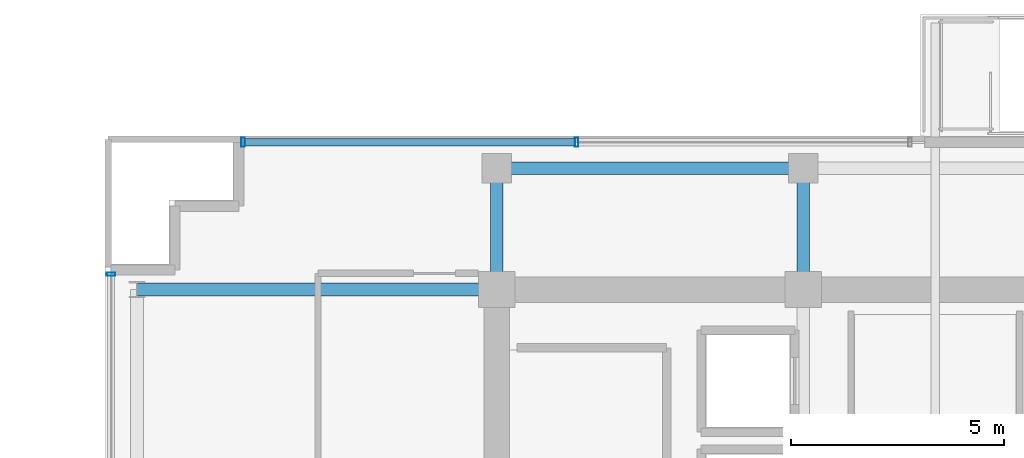
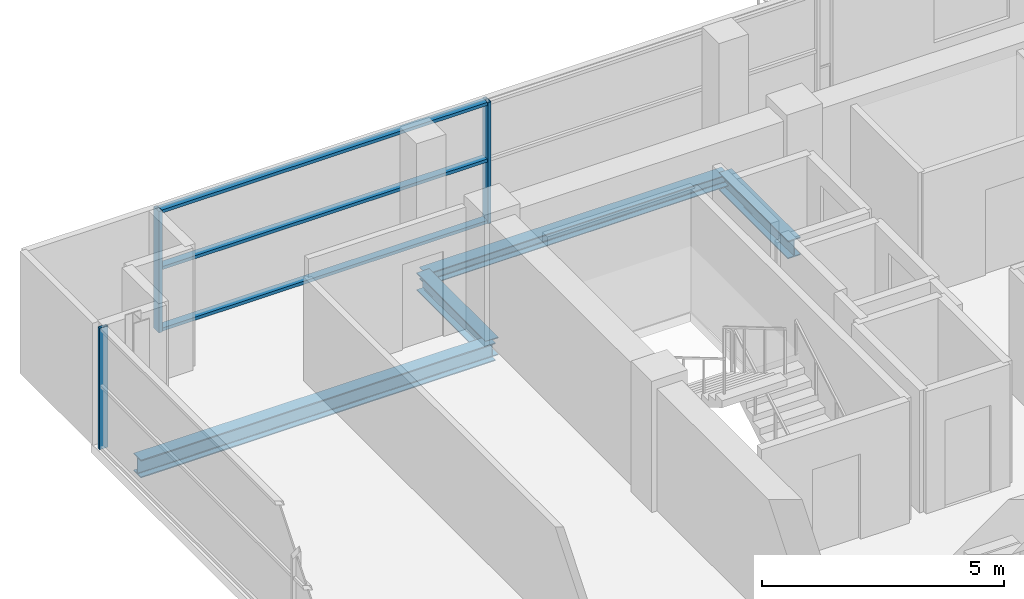
# One storey, part 11 of 24: 6 members, 4 beams, 2 elements without a shape of their own.
"""IFC4 building model written with IfcOpenShell, lengths in metres."""

from ifc_helpers import new_model, si_unit, direction, frame, origin, origin_2d, place, context, subcontext, project, spatial, hollow_rectangle, i_section, extrude, source, transform, mapped, material, layer, layer_set, material_profile, profile_set, type_object, element, aggregate, save


model = new_model("IFC4")

# Units and contexts
model_context = context("Model", 3, precision=1e-05, world=origin(), true_north=direction((0.0, 1.0)))
body_context = subcontext(model_context, "Body", "Model", "MODEL_VIEW")
ifc_project = project(units=[si_unit("LENGTHUNIT", "METRE"), si_unit("AREAUNIT", "SQUARE_METRE"), si_unit("VOLUMEUNIT", "CUBIC_METRE"), si_unit("PLANEANGLEUNIT", "RADIAN"), si_unit("MASSUNIT", "GRAM", prefix="KILO")], contexts=[model_context])

# Site, building, storey
site_placement = place(None, origin())
site = spatial("IfcSite", under=ifc_project, at=site_placement, CompositionType="ELEMENT")
building_placement = place(site_placement, origin())
building = spatial("IfcBuilding", under=site, at=building_placement, Name="Zarnakvel Exchange Tower", CompositionType="ELEMENT")
storey_placement = place(building_placement, frame((0.0, 0.0, 208.89990234375)))
storey = spatial("IfcBuildingStorey", under=building, at=storey_placement, Name="L58", CompositionType="ELEMENT", Elevation=208.89990234375)

# Beams
ifc_material_1 = material(Name="Steel S355", Category="steel")
ifc_material_profile_1 = material_profile(ifc_material_1, i_section(OverallWidth=0.300048828125, OverallDepth=0.449951171875, WebThickness=0.013916015625, FlangeThickness=0.02587890625, FilletRadius=0.027099609375, at=origin_2d()))
ifc_profile_set_1 = profile_set([ifc_material_profile_1], Name="Steel S355")
beam_type_1 = type_object("IfcBeamType", Name="G-07", PredefinedType="BEAM", material=ifc_profile_set_1)
beam_1_placement = place(storey_placement, frame((-22.85009765625, 13.5, -0.449951171875), z_axis=(1.0, 0.0, 0.0), x_axis=(0.0, 1.0, 0.0)))
element("IfcBeam", 1, at=beam_1_placement, inside=storey, type_object=beam_type_1, Name="L58 Tower E-W Frame Beam", PredefinedType="BEAM", context=body_context, shape_type="SweptSolid", body=[
    extrude(i_section(OverallWidth=0.300048828125, OverallDepth=0.449951171875, WebThickness=0.013916015625, FlangeThickness=0.02587890625, FilletRadius=0.027099609375, at=origin_2d()), origin(), (0.0, 0.0, 1.0), 8.4501953125),
])
for number, where, z_axis, x_axis, name in (
    (2, (-14.39990234375, 13.5, -0.449951171875), (0.0, 1.0, 0.0), (-1.0, 0.0, 0.0), "L58 Tower N-S Frame Beam"),
    (3, (-7.199951171875, 13.5, -0.449951171875), (0.0, 1.0, 0.0), (-1.0, 0.0, 0.0), "L58 Tower N-S Frame Beam"),
):
    element("IfcBeam", number, at=place(storey_placement, frame(where, z_axis=z_axis, x_axis=x_axis)), inside=storey, type_object=beam_type_1, Name=name, PredefinedType="BEAM", context=body_context, shape_type="SweptSolid", body=[
        extrude(i_section(OverallWidth=0.300048828125, OverallDepth=0.449951171875, WebThickness=0.013916015625, FlangeThickness=0.02587890625, FilletRadius=0.027099609375, at=origin_2d()), origin(), (0.0, 0.0, 1.0), 2.85009765625),
    ])
ifc_material_profile_2 = material_profile(ifc_material_1, i_section(OverallWidth=0.300048828125, OverallDepth=0.300048828125, WebThickness=0.010986328125, FlangeThickness=0.01904296875, FilletRadius=0.027099609375, at=origin_2d()))
ifc_profile_set_2 = profile_set([ifc_material_profile_2], Name="Steel S355")
beam_type_2 = type_object("IfcBeamType", Name="SP-03", PredefinedType="SPANDREL", material=ifc_profile_set_2)
beam_2_placement = place(storey_placement, frame((-14.39990234375, 16.35009765625, -0.375), z_axis=(1.0, 0.0, 0.0), x_axis=(0.0, 1.0, 0.0)))
element("IfcBeam", 4, at=beam_2_placement, inside=storey, type_object=beam_type_2, Name="L58 Tower E-W Frame Beam", PredefinedType="SPANDREL", context=body_context, shape_type="SweptSolid", body=[
    extrude(i_section(OverallWidth=0.300048828125, OverallDepth=0.300048828125, WebThickness=0.010986328125, FlangeThickness=0.01904296875, FilletRadius=0.027099609375, at=origin_2d()), origin(), (0.0, 0.0, 1.0), 7.199951171875),
])

# Curtain wall, member
ifc_material_2 = material(Name="Architectural Bronze Anodised Aluminium", Category="aluminium")
ifc_layer_1 = layer(ifc_material_2, 0.199951171875)
ifc_layer_set_1 = layer_set([ifc_layer_1], Name="Architectural Bronze Anodised Aluminium")
curtain_wall_type_1 = type_object("IfcCurtainWallType", Name="CW-04", PredefinedType="NOTDEFINED", material=ifc_layer_set_1)
curtain_wall_1_placement = place(storey_placement, origin())
curtain_wall_1 = element("IfcCurtainWall", 5, at=curtain_wall_1_placement, inside=storey, type_object=curtain_wall_type_1, Name="L58 Curtain Wall CW-L58-WN (CW-04)", PredefinedType="NOTDEFINED")
ifc_material_profile_3 = material_profile(ifc_material_2, hollow_rectangle(XDim=0.199951171875, YDim=0.074951171875, WallThickness=0.0048828125, at=origin_2d()))
ifc_profile_set_3 = profile_set([ifc_material_profile_3], Name="Architectural Bronze Anodised Aluminium")
member_type_1 = type_object("IfcMemberType", Name="CWM-04", PredefinedType="MULLION", material=ifc_profile_set_3)
shared_shape_1 = source(origin(), body_context, "Body", "SweptSolid", [
    extrude(hollow_rectangle(XDim=0.199951171875, YDim=0.074951171875, WallThickness=0.0048828125, at=origin_2d()), origin(), (0.0, 0.0, 1.0), 3.05517578125),
])
member_1_placement = place(storey_placement, frame((-23.4599609375, 13.862548828125, 0.0), z_axis=(0.0, 0.0, 1.0), x_axis=(-1.0, 0.0, 0.0)))
member_1 = element("IfcMember", 6, at=member_1_placement, type_object=member_type_1, Name="CW-04 mullion 3", PredefinedType="MULLION", context=body_context, shape_type="MappedRepresentation", body=[
    mapped(shared_shape_1, transform((0.0, 0.0, 0.0), x_axis=(1.0, 0.0, 0.0), y_axis=(0.0, 1.0, 0.0), z_axis=(0.0, 0.0, 1.0), scale=1.0)),
])
aggregate(curtain_wall_1, [member_1])

# Curtain wall, members
ifc_layer_2 = layer(ifc_material_2, 0.219970703125)
ifc_layer_set_2 = layer_set([ifc_layer_2], Name="Architectural Bronze Anodised Aluminium")
curtain_wall_type_2 = type_object("IfcCurtainWallType", Name="CW-03", PredefinedType="NOTDEFINED", material=ifc_layer_set_2)
curtain_wall_2_placement = place(storey_placement, origin())
curtain_wall_2 = element("IfcCurtainWall", 7, at=curtain_wall_2_placement, inside=storey, type_object=curtain_wall_type_2, Name="L58 Curtain Wall CW-L58-N1 (CW-03)", PredefinedType="NOTDEFINED")
ifc_material_profile_4 = material_profile(ifc_material_2, hollow_rectangle(XDim=0.219970703125, YDim=0.080078125, WallThickness=0.0048828125, at=origin_2d()))
ifc_profile_set_4 = profile_set([ifc_material_profile_4], Name="Architectural Bronze Anodised Aluminium")
member_type_2 = type_object("IfcMemberType", Name="CWM-03", PredefinedType="MULLION", material=ifc_profile_set_4)
shared_shape_2 = source(origin(), body_context, "Body", "SweptSolid", [
    extrude(hollow_rectangle(XDim=0.219970703125, YDim=0.080078125, WallThickness=0.0048828125, at=origin_2d()), origin(), (0.0, 0.0, 1.0), 3.05517578125),
])
member_2_placement = place(storey_placement, frame((-20.360107421875, 16.9599609375, 0.0), z_axis=(0.0, 0.0, 1.0), x_axis=(0.0, 1.0, 0.0)))
member_2 = element("IfcMember", 8, at=member_2_placement, type_object=member_type_2, Name="CW-03 mullion 1", PredefinedType="MULLION", context=body_context, shape_type="MappedRepresentation", body=[
    mapped(shared_shape_2, transform((0.0, 0.0, 0.0), x_axis=(1.0, 0.0, 0.0), y_axis=(0.0, 1.0, 0.0), z_axis=(0.0, 0.0, 1.0), scale=1.0)),
])
member_3_placement = place(storey_placement, frame((-12.52490234375, 16.9599609375, 0.0), z_axis=(0.0, 0.0, 1.0), x_axis=(0.0, 1.0, 0.0)))
member_3 = element("IfcMember", 9, at=member_3_placement, type_object=member_type_2, Name="CW-03 mullion 2", PredefinedType="MULLION", context=body_context, shape_type="MappedRepresentation", body=[
    mapped(shared_shape_2, transform((0.0, 0.0, 0.0), x_axis=(1.0, 0.0, 0.0), y_axis=(0.0, 1.0, 0.0), z_axis=(0.0, 0.0, 1.0), scale=1.0)),
])
ifc_material_profile_5 = material_profile(ifc_material_2, hollow_rectangle(XDim=0.179931640625, YDim=0.080078125, WallThickness=0.00390625, at=origin_2d()))
ifc_profile_set_5 = profile_set([ifc_material_profile_5], Name="Architectural Bronze Anodised Aluminium")
member_type_3 = type_object("IfcMemberType", Name="CWT-03", PredefinedType="USERDEFINED", material=ifc_profile_set_5)
shared_shape_3 = source(origin(), body_context, "Body", "SweptSolid", [
    extrude(hollow_rectangle(XDim=0.179931640625, YDim=0.080078125, WallThickness=0.00390625, at=origin_2d()), origin(), (0.0, 0.0, 1.0), 7.755126953125),
])
member_4_placement = place(storey_placement, frame((-20.320068359375, 16.9599609375, 0.0400390625), z_axis=(1.0, 0.0, 0.0), x_axis=(0.0, 1.0, 0.0)))
member_4 = element("IfcMember", 10, at=member_4_placement, type_object=member_type_3, Name="CW-03 transom 1.1", ObjectType="TRANSOM", PredefinedType="USERDEFINED", context=body_context, shape_type="MappedRepresentation", body=[
    mapped(shared_shape_3, transform((0.0, 0.0, 0.0), x_axis=(1.0, 0.0, 0.0), y_axis=(0.0, 1.0, 0.0), z_axis=(0.0, 0.0, 1.0), scale=1.0)),
])
member_5_placement = place(storey_placement, frame((-20.320068359375, 16.9599609375, 1.588623046875), z_axis=(1.0, 0.0, 0.0), x_axis=(0.0, 1.0, 0.0)))
member_5 = element("IfcMember", 11, at=member_5_placement, type_object=member_type_3, Name="CW-03 transom 1.2", ObjectType="TRANSOM", PredefinedType="USERDEFINED", context=body_context, shape_type="MappedRepresentation", body=[
    mapped(shared_shape_3, transform((0.0, 0.0, 0.0), x_axis=(1.0, 0.0, 0.0), y_axis=(0.0, 1.0, 0.0), z_axis=(0.0, 0.0, 1.0), scale=1.0)),
])
member_6_placement = place(storey_placement, frame((-20.320068359375, 16.9599609375, 3.01513671875), z_axis=(1.0, 0.0, 0.0), x_axis=(0.0, 1.0, 0.0)))
member_6 = element("IfcMember", 12, at=member_6_placement, type_object=member_type_3, Name="CW-03 transom 1.3", ObjectType="TRANSOM", PredefinedType="USERDEFINED", context=body_context, shape_type="MappedRepresentation", body=[
    mapped(shared_shape_3, transform((0.0, 0.0, 0.0), x_axis=(1.0, 0.0, 0.0), y_axis=(0.0, 1.0, 0.0), z_axis=(0.0, 0.0, 1.0), scale=1.0)),
])
aggregate(curtain_wall_2, [member_2, member_3, member_4, member_5, member_6])

save(model, "model.ifc")
